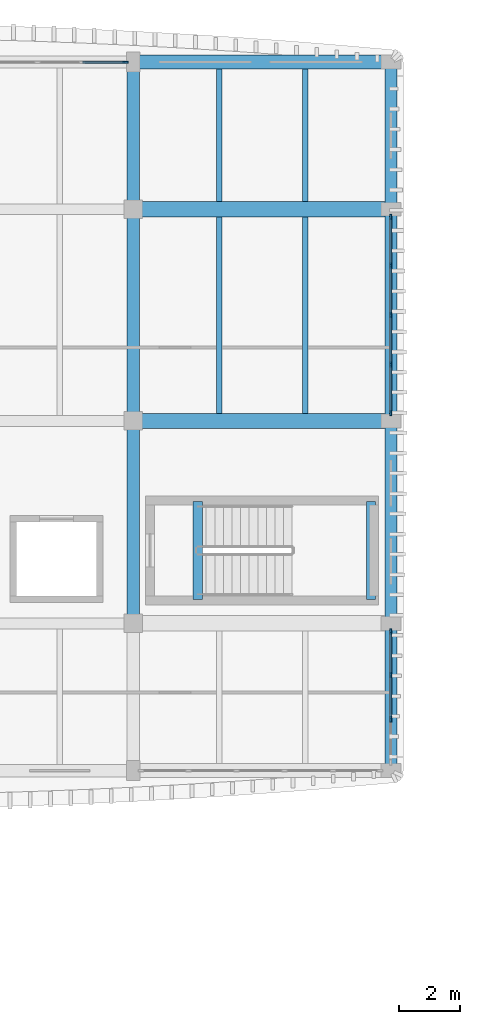
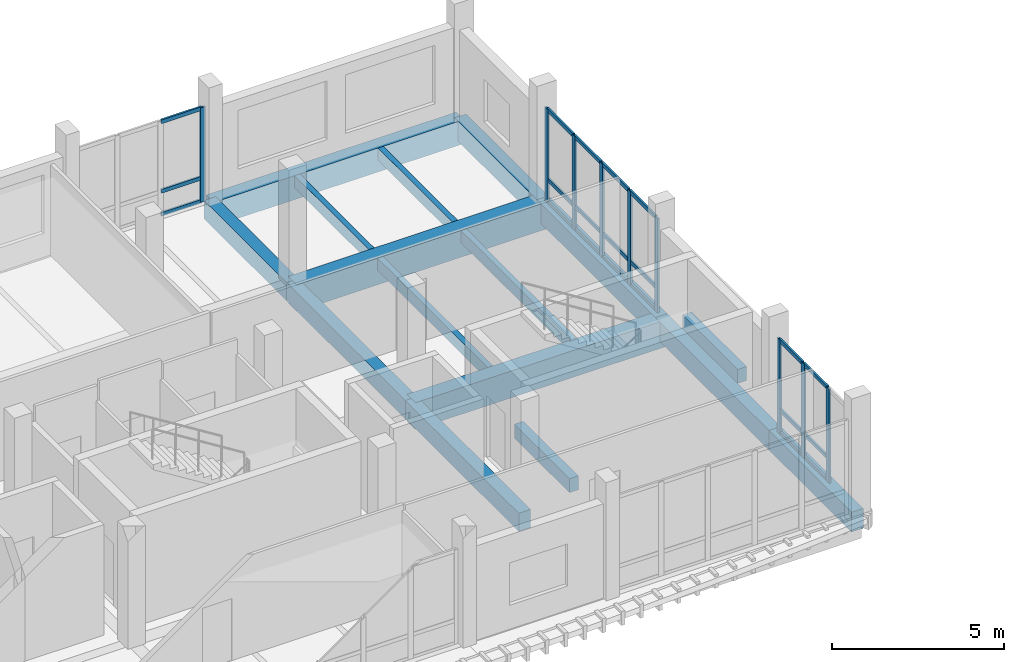
# One storey, part 5 of 20: 30 members, 16 beams, 3 elements without a shape of their own.
"""IFC4 building model written with IfcOpenShell, lengths in metres."""

from ifc_helpers import new_model, si_unit, direction, frame, origin, origin_2d, place, context, subcontext, project, spatial, rectangle, extrude, material, material_profile, profile_set, type_object, element, aggregate, save


model = new_model("IFC4")

# Units and contexts
model_context = context("Model", 3, precision=1e-05, world=origin(), true_north=direction((0.0, 1.0)))
body_context = subcontext(model_context, "Body", "Model", "MODEL_VIEW")
ifc_project = project(units=[si_unit("LENGTHUNIT", "METRE"), si_unit("AREAUNIT", "SQUARE_METRE"), si_unit("VOLUMEUNIT", "CUBIC_METRE"), si_unit("PLANEANGLEUNIT", "RADIAN"), si_unit("MASSUNIT", "GRAM", prefix="KILO")], contexts=[model_context])

# Site, building, storey
site_placement = place(None, origin())
site = spatial("IfcSite", under=ifc_project, at=site_placement, CompositionType="ELEMENT")
building_placement = place(site_placement, origin())
building = spatial("IfcBuilding", under=site, at=building_placement, Name="Dornvale Research Institute", CompositionType="ELEMENT")
storey_placement = place(building_placement, frame((0.0, 0.0, 34.199951171875)))
storey = spatial("IfcBuildingStorey", under=building, at=storey_placement, Name="L07", CompositionType="ELEMENT", Elevation=34.199951171875)

# Beams
ifc_material_1 = material(Name="Concrete f'c 45 MPa (C35/45)", Category="concrete")
ifc_material_profile_1 = material_profile(ifc_material_1, rectangle(XDim=0.300048828125, YDim=0.5, at=origin_2d()), Name="RC 300x500")
ifc_profile_set_1 = profile_set([ifc_material_profile_1], Name="Concrete f'c 45 MPa (C35/45)")
beam_type_1 = type_object("IfcBeamType", Name="Beam_RC300x500_Trim", PredefinedType="BEAM", material=ifc_profile_set_1)
for number, where, z_axis, x_axis, name in (
    (1, (35.10009765625, 104.580078125, -0.25), (0.0, 1.0, 0.0), (-1.0, 0.0, 0.0), "L07 ST-2 stair landing trimmer beam #31"),
    (2, (40.75, 104.580078125, 1.650146484375), (0.0, 1.0, 0.0), (-1.0, 0.0, 0.0), "L07 ST-2 half-landing support beam #44"),
):
    element("IfcBeam", number, at=place(storey_placement, frame(where, z_axis=z_axis, x_axis=x_axis)), inside=storey, type_object=beam_type_1, Name=name, PredefinedType="BEAM", context=body_context, shape_type="SweptSolid", body=[
        extrude(rectangle(XDim=0.300048828125, YDim=0.5, at=origin_2d()), origin(), (0.0, 0.0, 1.0), 3.199951171875),
    ])
ifc_material_2 = material(Name="Concrete f'c 45 MPa (C35/45)", Category="concrete")
ifc_material_profile_2 = material_profile(ifc_material_2, rectangle(XDim=0.39990234375, YDim=0.64990234375, at=origin_2d()), Name="RC 400x650")
ifc_profile_set_2 = profile_set([ifc_material_profile_2], Name="Concrete f'c 45 MPa (C35/45)")
beam_type_2 = type_object("IfcBeamType", Name="Beam_RC400x650_Floor", PredefinedType="BEAM", material=ifc_profile_set_2)
beam_1_placement = place(storey_placement, frame((33.0, 103.800048828125, -0.324951171875), z_axis=(0.0, 1.0, 0.0), x_axis=(-1.0, 0.0, 0.0)))
element("IfcBeam", 3, at=beam_1_placement, inside=storey, type_object=beam_type_2, Name="L07 transverse girder #1596", PredefinedType="BEAM", context=body_context, shape_type="SweptSolid", body=[
    extrude(rectangle(XDim=0.39990234375, YDim=0.64990234375, at=origin_2d()), origin(), (0.0, 0.0, 1.0), 6.599853515625),
])
beam_2_placement = place(storey_placement, frame((33.0, 110.39990234375, -0.324951171875), z_axis=(0.0, 1.0, 0.0), x_axis=(-1.0, 0.0, 0.0)))
element("IfcBeam", 4, at=beam_2_placement, inside=storey, type_object=beam_type_2, Name="L07 transverse girder #1597", PredefinedType="BEAM", context=body_context, shape_type="SweptSolid", body=[
    extrude(rectangle(XDim=0.39990234375, YDim=0.64990234375, at=origin_2d()), origin(), (0.0, 0.0, 1.0), 6.900146484375),
])
beam_3_placement = place(storey_placement, frame((33.0, 117.300048828125, -0.324951171875), z_axis=(0.0, 1.0, 0.0), x_axis=(-1.0, 0.0, 0.0)))
element("IfcBeam", 5, at=beam_3_placement, inside=storey, type_object=beam_type_2, Name="L07 transverse girder #1598", PredefinedType="BEAM", context=body_context, shape_type="SweptSolid", body=[
    extrude(rectangle(XDim=0.39990234375, YDim=0.64990234375, at=origin_2d()), origin(), (0.0, 0.0, 1.0), 4.800048828125),
])
ifc_material_3 = material(Name="Concrete f'c 45 MPa (C35/45)", Category="concrete")
ifc_material_profile_3 = material_profile(ifc_material_3, rectangle(XDim=0.5, YDim=0.949951171875, at=origin_2d()), Name="RC 500x950")
ifc_profile_set_3 = profile_set([ifc_material_profile_3], Name="Concrete f'c 45 MPa (C35/45)")
beam_type_3 = type_object("IfcBeamType", Name="Beam_RC500x950_Girder", PredefinedType="BEAM", material=ifc_profile_set_3)
for number, where, z_axis, x_axis, name in (
    (6, (33.0, 110.39990234375, -0.474853515625), (1.0, 0.0, 0.0), (0.0, 1.0, 0.0), "L07 primary girder #1568"),
    (7, (33.0, 117.300048828125, -0.474853515625), (1.0, 0.0, 0.0), (0.0, 1.0, 0.0), "L07 primary girder #1573"),
):
    element("IfcBeam", number, at=place(storey_placement, frame(where, z_axis=z_axis, x_axis=x_axis)), inside=storey, type_object=beam_type_3, Name=name, PredefinedType="BEAM", context=body_context, shape_type="SweptSolid", body=[
        extrude(rectangle(XDim=0.5, YDim=0.949951171875, at=origin_2d()), origin(), (0.0, 0.0, 1.0), 8.39990234375),
    ])
ifc_material_4 = material(Name="Concrete f'c 45 MPa (C35/45)", Category="concrete")
ifc_material_profile_4 = material_profile(ifc_material_4, rectangle(XDim=0.179931640625, YDim=0.43505859375, at=origin_2d()), Name="RC 180x435")
ifc_profile_set_4 = profile_set([ifc_material_profile_4], Name="Concrete f'c 45 MPa (C35/45)")
beam_type_4 = type_object("IfcBeamType", Name="Joist_RC180x435_Rib", PredefinedType="JOIST", material=ifc_profile_set_4)
for number, where, z_axis, x_axis, name in (
    (8, (35.800048828125, 110.64990234375, -0.217529296875), (0.0, 1.0, 0.0), (-1.0, 0.0, 0.0), "L07 laboratory waffle joist #788"),
    (9, (38.60009765625, 110.64990234375, -0.217529296875), (0.0, 1.0, 0.0), (-1.0, 0.0, 0.0), "L07 laboratory waffle joist #789"),
):
    element("IfcBeam", number, at=place(storey_placement, frame(where, z_axis=z_axis, x_axis=x_axis)), inside=storey, type_object=beam_type_4, Name=name, PredefinedType="JOIST", context=body_context, shape_type="SweptSolid", body=[
        extrude(rectangle(XDim=0.179931640625, YDim=0.43505859375, at=origin_2d()), origin(), (0.0, 0.0, 1.0), 6.400146484375),
    ])
for number, where, z_axis, x_axis, name in (
    (10, (35.800048828125, 117.550048828125, -0.217529296875), (0.0, 1.0, 0.0), (-1.0, 0.0, 0.0), "L07 laboratory waffle joist #790"),
    (11, (38.60009765625, 117.550048828125, -0.217529296875), (0.0, 1.0, 0.0), (-1.0, 0.0, 0.0), "L07 laboratory waffle joist #791"),
):
    element("IfcBeam", number, at=place(storey_placement, frame(where, z_axis=z_axis, x_axis=x_axis)), inside=storey, type_object=beam_type_4, Name=name, PredefinedType="JOIST", context=body_context, shape_type="SweptSolid", body=[
        extrude(rectangle(XDim=0.179931640625, YDim=0.43505859375, at=origin_2d()), origin(), (0.0, 0.0, 1.0), 4.324951171875),
    ])

# Curtain wall, member
ifc_material_5 = material(Name="Low-E Argon Double Insulating Glazing Unit", Category="glass")
curtain_wall_type_1 = type_object("IfcCurtainWallType", Name="UnitisedCurtainWall_V5_4350x3350", PredefinedType="USERDEFINED", material=ifc_material_5)
curtain_wall_1_placement = place(storey_placement, origin())
curtain_wall_1 = element("IfcCurtainWall", 12, at=curtain_wall_1_placement, inside=storey, type_object=curtain_wall_type_1, Name="L07 V5 unitised curtain wall CW-35 #182", ObjectType="UNITISED CURTAIN WALL", PredefinedType="USERDEFINED")
ifc_material_6 = material(Name="Anodized Aluminum AA 6063-T6 Thermally Broken Frame", Category="aluminium")
ifc_material_profile_5 = material_profile(ifc_material_6, rectangle(XDim=0.06494140625, YDim=0.179931640625, at=origin_2d()), Name="ALU MULLION 65x180")
ifc_profile_set_5 = profile_set([ifc_material_profile_5], Name="Anodized Aluminum AA 6063-T6 Thermally Broken Frame")
member_type_1 = type_object("IfcMemberType", Name="Mullion_CW_65x180", PredefinedType="MULLION", material=ifc_profile_set_5)
member_1_placement = place(storey_placement, frame((32.742431640625, 122.10009765625, 0.0), z_axis=(0.0, 0.0, 1.0), x_axis=(0.0, 1.0, 0.0)))
member_1 = element("IfcMember", 13, at=member_1_placement, type_object=member_type_1, Name="CW-35 mullion 4", PredefinedType="MULLION", context=body_context, shape_type="SweptSolid", body=[
    extrude(rectangle(XDim=0.06494140625, YDim=0.179931640625, at=origin_2d()), origin(), (0.0, 0.0, 1.0), 3.35009765625),
])

# Curtain wall, members
ifc_material_7 = material(Name="Low-E Argon Double Insulating Glazing Unit", Category="glass")
curtain_wall_type_2 = type_object("IfcCurtainWallType", Name="UnitisedCurtainWall_V5_6450x3350", PredefinedType="USERDEFINED", material=ifc_material_7)
curtain_wall_2_placement = place(storey_placement, origin())
curtain_wall_2 = element("IfcCurtainWall", 14, at=curtain_wall_2_placement, inside=storey, type_object=curtain_wall_type_2, Name="L07 V5 unitised curtain wall CW-36 #183", ObjectType="UNITISED CURTAIN WALL", PredefinedType="USERDEFINED")
member_2_placement = place(storey_placement, frame((41.39990234375, 117.04248046875, 0.0), z_axis=(0.0, 0.0, 1.0), x_axis=(1.0, 0.0, 0.0)))
member_2 = element("IfcMember", 15, at=member_2_placement, type_object=member_type_1, Name="CW-36 mullion 1", PredefinedType="MULLION", context=body_context, shape_type="SweptSolid", body=[
    extrude(rectangle(XDim=0.06494140625, YDim=0.179931640625, at=origin_2d()), origin(), (0.0, 0.0, 1.0), 3.35009765625),
])
member_3_placement = place(storey_placement, frame((41.39990234375, 115.46240234375, 0.0), z_axis=(0.0, 0.0, 1.0), x_axis=(1.0, 0.0, 0.0)))
member_3 = element("IfcMember", 16, at=member_3_placement, type_object=member_type_1, Name="CW-36 mullion 2", PredefinedType="MULLION", context=body_context, shape_type="SweptSolid", body=[
    extrude(rectangle(XDim=0.06494140625, YDim=0.179931640625, at=origin_2d()), origin(), (0.0, 0.0, 1.0), 3.35009765625),
])
member_4_placement = place(storey_placement, frame((41.39990234375, 113.85009765625, 0.0), z_axis=(0.0, 0.0, 1.0), x_axis=(1.0, 0.0, 0.0)))
member_4 = element("IfcMember", 17, at=member_4_placement, type_object=member_type_1, Name="CW-36 mullion 3", PredefinedType="MULLION", context=body_context, shape_type="SweptSolid", body=[
    extrude(rectangle(XDim=0.06494140625, YDim=0.179931640625, at=origin_2d()), origin(), (0.0, 0.0, 1.0), 3.35009765625),
])
member_5_placement = place(storey_placement, frame((41.39990234375, 112.237548828125, 0.0), z_axis=(0.0, 0.0, 1.0), x_axis=(1.0, 0.0, 0.0)))
member_5 = element("IfcMember", 18, at=member_5_placement, type_object=member_type_1, Name="CW-36 mullion 4", PredefinedType="MULLION", context=body_context, shape_type="SweptSolid", body=[
    extrude(rectangle(XDim=0.06494140625, YDim=0.179931640625, at=origin_2d()), origin(), (0.0, 0.0, 1.0), 3.35009765625),
])
member_6_placement = place(storey_placement, frame((41.39990234375, 110.657470703125, 0.0), z_axis=(0.0, 0.0, 1.0), x_axis=(1.0, 0.0, 0.0)))
member_6 = element("IfcMember", 19, at=member_6_placement, type_object=member_type_1, Name="CW-36 mullion 5", PredefinedType="MULLION", context=body_context, shape_type="SweptSolid", body=[
    extrude(rectangle(XDim=0.06494140625, YDim=0.179931640625, at=origin_2d()), origin(), (0.0, 0.0, 1.0), 3.35009765625),
])

curtain_wall_3_placement = place(storey_placement, origin())
curtain_wall_3 = element("IfcCurtainWall", 20, at=curtain_wall_3_placement, inside=storey, type_object=curtain_wall_type_1, Name="L07 V5 unitised curtain wall CW-35 #184", ObjectType="UNITISED CURTAIN WALL", PredefinedType="USERDEFINED")
member_7_placement = place(storey_placement, frame((41.39990234375, 103.54248046875, 0.0), z_axis=(0.0, 0.0, 1.0), x_axis=(1.0, 0.0, 0.0)))
member_7 = element("IfcMember", 21, at=member_7_placement, type_object=member_type_1, Name="CW-35 mullion 1", PredefinedType="MULLION", context=body_context, shape_type="SweptSolid", body=[
    extrude(rectangle(XDim=0.06494140625, YDim=0.179931640625, at=origin_2d()), origin(), (0.0, 0.0, 1.0), 3.35009765625),
])
member_8_placement = place(storey_placement, frame((41.39990234375, 102.125, 0.0), z_axis=(0.0, 0.0, 1.0), x_axis=(1.0, 0.0, 0.0)))
member_8 = element("IfcMember", 22, at=member_8_placement, type_object=member_type_1, Name="CW-35 mullion 2", PredefinedType="MULLION", context=body_context, shape_type="SweptSolid", body=[
    extrude(rectangle(XDim=0.06494140625, YDim=0.179931640625, at=origin_2d()), origin(), (0.0, 0.0, 1.0), 3.35009765625),
])
member_9_placement = place(storey_placement, frame((41.39990234375, 100.675048828125, 0.0), z_axis=(0.0, 0.0, 1.0), x_axis=(1.0, 0.0, 0.0)))
member_9 = element("IfcMember", 23, at=member_9_placement, type_object=member_type_1, Name="CW-35 mullion 3", PredefinedType="MULLION", context=body_context, shape_type="SweptSolid", body=[
    extrude(rectangle(XDim=0.06494140625, YDim=0.179931640625, at=origin_2d()), origin(), (0.0, 0.0, 1.0), 3.35009765625),
])

# Beams
ifc_material_8 = material(Name="Concrete f'c 45 MPa (C35/45)", Category="concrete")
ifc_material_profile_6 = material_profile(ifc_material_8, rectangle(XDim=0.39990234375, YDim=0.699951171875, at=origin_2d()), Name="RC 400x700")
ifc_profile_set_6 = profile_set([ifc_material_profile_6], Name="Concrete f'c 45 MPa (C35/45)")
beam_type_5 = type_object("IfcBeamType", Name="Spandrel_RC400x700_Ext", PredefinedType="SPANDREL", material=ifc_profile_set_6)
beam_4_placement = place(storey_placement, frame((41.39990234375, 99.0, -0.349853515625), z_axis=(0.0, 1.0, 0.0), x_axis=(-1.0, 0.0, 0.0)))
element("IfcBeam", 24, at=beam_4_placement, inside=storey, type_object=beam_type_5, Name="L07 perimeter spandrel #1599", PredefinedType="SPANDREL", context=body_context, shape_type="SweptSolid", body=[
    extrude(rectangle(XDim=0.39990234375, YDim=0.699951171875, at=origin_2d()), origin(), (0.0, 0.0, 1.0), 4.800048828125),
])
beam_5_placement = place(storey_placement, frame((41.39990234375, 103.800048828125, -0.349853515625), z_axis=(0.0, 1.0, 0.0), x_axis=(-1.0, 0.0, 0.0)))
element("IfcBeam", 25, at=beam_5_placement, inside=storey, type_object=beam_type_5, Name="L07 perimeter spandrel #1600", PredefinedType="SPANDREL", context=body_context, shape_type="SweptSolid", body=[
    extrude(rectangle(XDim=0.39990234375, YDim=0.699951171875, at=origin_2d()), origin(), (0.0, 0.0, 1.0), 6.599853515625),
])
beam_6_placement = place(storey_placement, frame((41.39990234375, 110.39990234375, -0.349853515625), z_axis=(0.0, 1.0, 0.0), x_axis=(-1.0, 0.0, 0.0)))
element("IfcBeam", 26, at=beam_6_placement, inside=storey, type_object=beam_type_5, Name="L07 perimeter spandrel #1601", PredefinedType="SPANDREL", context=body_context, shape_type="SweptSolid", body=[
    extrude(rectangle(XDim=0.39990234375, YDim=0.699951171875, at=origin_2d()), origin(), (0.0, 0.0, 1.0), 6.900146484375),
])
beam_7_placement = place(storey_placement, frame((41.39990234375, 117.300048828125, -0.349853515625), z_axis=(0.0, 1.0, 0.0), x_axis=(-1.0, 0.0, 0.0)))
element("IfcBeam", 27, at=beam_7_placement, inside=storey, type_object=beam_type_5, Name="L07 perimeter spandrel #1602", PredefinedType="SPANDREL", context=body_context, shape_type="SweptSolid", body=[
    extrude(rectangle(XDim=0.39990234375, YDim=0.699951171875, at=origin_2d()), origin(), (0.0, 0.0, 1.0), 4.800048828125),
])
ifc_material_9 = material(Name="Concrete f'c 45 MPa (C35/45)", Category="concrete")
ifc_material_profile_7 = material_profile(ifc_material_9, rectangle(XDim=0.449951171875, YDim=0.85009765625, at=origin_2d()), Name="RC 450x850")
ifc_profile_set_7 = profile_set([ifc_material_profile_7], Name="Concrete f'c 45 MPa (C35/45)")
beam_type_6 = type_object("IfcBeamType", Name="Spandrel_RC450x850_Ext", PredefinedType="SPANDREL", material=ifc_profile_set_7)
beam_8_placement = place(storey_placement, frame((33.0, 122.10009765625, -0.425048828125), z_axis=(1.0, 0.0, 0.0), x_axis=(0.0, 1.0, 0.0)))
element("IfcBeam", 28, at=beam_8_placement, inside=storey, type_object=beam_type_6, Name="L07 perimeter spandrel #1578", PredefinedType="SPANDREL", context=body_context, shape_type="SweptSolid", body=[
    extrude(rectangle(XDim=0.449951171875, YDim=0.85009765625, at=origin_2d()), origin(), (0.0, 0.0, 1.0), 8.39990234375),
])

# Member
ifc_material_10 = material(Name="Anodized Aluminum AA 6063-T6 Thermally Broken Frame", Category="aluminium")
ifc_material_profile_8 = material_profile(ifc_material_10, rectangle(XDim=0.06494140625, YDim=0.135009765625, at=origin_2d()), Name="ALU TRANSOM 65x135")
ifc_profile_set_8 = profile_set([ifc_material_profile_8], Name="Anodized Aluminum AA 6063-T6 Thermally Broken Frame")
member_type_2 = type_object("IfcMemberType", Name="Transom_CW_65x135", PredefinedType="USERDEFINED", material=ifc_profile_set_8)
member_10_placement = place(storey_placement, frame((31.357421875, 122.10009765625, 0.032470703125), z_axis=(1.0, 0.0, 0.0), x_axis=(0.0, 1.0, 0.0)))
member_10 = element("IfcMember", 29, at=member_10_placement, type_object=member_type_2, Name="CW-35 transom 3.1", ObjectType="TRANSOM", PredefinedType="USERDEFINED", context=body_context, shape_type="SweptSolid", body=[
    extrude(rectangle(XDim=0.06494140625, YDim=0.135009765625, at=origin_2d()), origin(), (0.0, 0.0, 1.0), 1.3525390625),
])

member_11_placement = place(storey_placement, frame((31.357421875, 122.10009765625, 0.85009765625), z_axis=(1.0, 0.0, 0.0), x_axis=(0.0, 1.0, 0.0)))
member_11 = element("IfcMember", 30, at=member_11_placement, type_object=member_type_2, Name="CW-35 transom 3.2", ObjectType="TRANSOM", PredefinedType="USERDEFINED", context=body_context, shape_type="SweptSolid", body=[
    extrude(rectangle(XDim=0.06494140625, YDim=0.135009765625, at=origin_2d()), origin(), (0.0, 0.0, 1.0), 1.3525390625),
])

member_12_placement = place(storey_placement, frame((31.357421875, 122.10009765625, 3.317626953125), z_axis=(1.0, 0.0, 0.0), x_axis=(0.0, 1.0, 0.0)))
member_12 = element("IfcMember", 31, at=member_12_placement, type_object=member_type_2, Name="CW-35 transom 3.3", ObjectType="TRANSOM", PredefinedType="USERDEFINED", context=body_context, shape_type="SweptSolid", body=[
    extrude(rectangle(XDim=0.06494140625, YDim=0.135009765625, at=origin_2d()), origin(), (0.0, 0.0, 1.0), 1.3525390625),
])

aggregate(curtain_wall_1, [member_1, member_10, member_11, member_12])

member_13_placement = place(storey_placement, frame((41.39990234375, 117.010009765625, 0.032470703125), z_axis=(0.0, -1.0, 0.0), x_axis=(1.0, 0.0, 0.0)))
member_13 = element("IfcMember", 32, at=member_13_placement, type_object=member_type_2, Name="CW-36 transom 1.1", ObjectType="TRANSOM", PredefinedType="USERDEFINED", context=body_context, shape_type="SweptSolid", body=[
    extrude(rectangle(XDim=0.06494140625, YDim=0.135009765625, at=origin_2d()), origin(), (0.0, 0.0, 1.0), 1.514892578125),
])

member_14_placement = place(storey_placement, frame((41.39990234375, 117.010009765625, 0.85009765625), z_axis=(0.0, -1.0, 0.0), x_axis=(1.0, 0.0, 0.0)))
member_14 = element("IfcMember", 33, at=member_14_placement, type_object=member_type_2, Name="CW-36 transom 1.2", ObjectType="TRANSOM", PredefinedType="USERDEFINED", context=body_context, shape_type="SweptSolid", body=[
    extrude(rectangle(XDim=0.06494140625, YDim=0.135009765625, at=origin_2d()), origin(), (0.0, 0.0, 1.0), 1.514892578125),
])

member_15_placement = place(storey_placement, frame((41.39990234375, 117.010009765625, 3.317626953125), z_axis=(0.0, -1.0, 0.0), x_axis=(1.0, 0.0, 0.0)))
member_15 = element("IfcMember", 34, at=member_15_placement, type_object=member_type_2, Name="CW-36 transom 1.3", ObjectType="TRANSOM", PredefinedType="USERDEFINED", context=body_context, shape_type="SweptSolid", body=[
    extrude(rectangle(XDim=0.06494140625, YDim=0.135009765625, at=origin_2d()), origin(), (0.0, 0.0, 1.0), 1.514892578125),
])

member_16_placement = place(storey_placement, frame((41.39990234375, 115.429931640625, 0.032470703125), z_axis=(0.0, -1.0, 0.0), x_axis=(1.0, 0.0, 0.0)))
member_16 = element("IfcMember", 35, at=member_16_placement, type_object=member_type_2, Name="CW-36 transom 2.1", ObjectType="TRANSOM", PredefinedType="USERDEFINED", context=body_context, shape_type="SweptSolid", body=[
    extrude(rectangle(XDim=0.06494140625, YDim=0.135009765625, at=origin_2d()), origin(), (0.0, 0.0, 1.0), 1.54736328125),
])

member_17_placement = place(storey_placement, frame((41.39990234375, 115.429931640625, 0.85009765625), z_axis=(0.0, -1.0, 0.0), x_axis=(1.0, 0.0, 0.0)))
member_17 = element("IfcMember", 36, at=member_17_placement, type_object=member_type_2, Name="CW-36 transom 2.2", ObjectType="TRANSOM", PredefinedType="USERDEFINED", context=body_context, shape_type="SweptSolid", body=[
    extrude(rectangle(XDim=0.06494140625, YDim=0.135009765625, at=origin_2d()), origin(), (0.0, 0.0, 1.0), 1.54736328125),
])

member_18_placement = place(storey_placement, frame((41.39990234375, 115.429931640625, 3.317626953125), z_axis=(0.0, -1.0, 0.0), x_axis=(1.0, 0.0, 0.0)))
member_18 = element("IfcMember", 37, at=member_18_placement, type_object=member_type_2, Name="CW-36 transom 2.3", ObjectType="TRANSOM", PredefinedType="USERDEFINED", context=body_context, shape_type="SweptSolid", body=[
    extrude(rectangle(XDim=0.06494140625, YDim=0.135009765625, at=origin_2d()), origin(), (0.0, 0.0, 1.0), 1.54736328125),
])

member_19_placement = place(storey_placement, frame((41.39990234375, 113.8173828125, 0.032470703125), z_axis=(0.0, -1.0, 0.0), x_axis=(1.0, 0.0, 0.0)))
member_19 = element("IfcMember", 38, at=member_19_placement, type_object=member_type_2, Name="CW-36 transom 3.1", ObjectType="TRANSOM", PredefinedType="USERDEFINED", context=body_context, shape_type="SweptSolid", body=[
    extrude(rectangle(XDim=0.06494140625, YDim=0.135009765625, at=origin_2d()), origin(), (0.0, 0.0, 1.0), 1.54736328125),
])

member_20_placement = place(storey_placement, frame((41.39990234375, 113.8173828125, 0.85009765625), z_axis=(0.0, -1.0, 0.0), x_axis=(1.0, 0.0, 0.0)))
member_20 = element("IfcMember", 39, at=member_20_placement, type_object=member_type_2, Name="CW-36 transom 3.2", ObjectType="TRANSOM", PredefinedType="USERDEFINED", context=body_context, shape_type="SweptSolid", body=[
    extrude(rectangle(XDim=0.06494140625, YDim=0.135009765625, at=origin_2d()), origin(), (0.0, 0.0, 1.0), 1.54736328125),
])

member_21_placement = place(storey_placement, frame((41.39990234375, 113.8173828125, 3.317626953125), z_axis=(0.0, -1.0, 0.0), x_axis=(1.0, 0.0, 0.0)))
member_21 = element("IfcMember", 40, at=member_21_placement, type_object=member_type_2, Name="CW-36 transom 3.3", ObjectType="TRANSOM", PredefinedType="USERDEFINED", context=body_context, shape_type="SweptSolid", body=[
    extrude(rectangle(XDim=0.06494140625, YDim=0.135009765625, at=origin_2d()), origin(), (0.0, 0.0, 1.0), 1.54736328125),
])

member_22_placement = place(storey_placement, frame((41.39990234375, 112.205078125, 0.032470703125), z_axis=(0.0, -1.0, 0.0), x_axis=(1.0, 0.0, 0.0)))
member_22 = element("IfcMember", 41, at=member_22_placement, type_object=member_type_2, Name="CW-36 transom 4.1", ObjectType="TRANSOM", PredefinedType="USERDEFINED", context=body_context, shape_type="SweptSolid", body=[
    extrude(rectangle(XDim=0.06494140625, YDim=0.135009765625, at=origin_2d()), origin(), (0.0, 0.0, 1.0), 1.51513671875),
])

member_23_placement = place(storey_placement, frame((41.39990234375, 112.205078125, 0.85009765625), z_axis=(0.0, -1.0, 0.0), x_axis=(1.0, 0.0, 0.0)))
member_23 = element("IfcMember", 42, at=member_23_placement, type_object=member_type_2, Name="CW-36 transom 4.2", ObjectType="TRANSOM", PredefinedType="USERDEFINED", context=body_context, shape_type="SweptSolid", body=[
    extrude(rectangle(XDim=0.06494140625, YDim=0.135009765625, at=origin_2d()), origin(), (0.0, 0.0, 1.0), 1.51513671875),
])

member_24_placement = place(storey_placement, frame((41.39990234375, 112.205078125, 3.317626953125), z_axis=(0.0, -1.0, 0.0), x_axis=(1.0, 0.0, 0.0)))
member_24 = element("IfcMember", 43, at=member_24_placement, type_object=member_type_2, Name="CW-36 transom 4.3", ObjectType="TRANSOM", PredefinedType="USERDEFINED", context=body_context, shape_type="SweptSolid", body=[
    extrude(rectangle(XDim=0.06494140625, YDim=0.135009765625, at=origin_2d()), origin(), (0.0, 0.0, 1.0), 1.51513671875),
])

aggregate(curtain_wall_2, [member_2, member_3, member_4, member_5, member_6, member_13, member_14, member_15, member_16, member_17, member_18, member_19, member_20, member_21, member_22, member_23, member_24])

member_25_placement = place(storey_placement, frame((41.39990234375, 103.510009765625, 0.032470703125), z_axis=(0.0, -1.0, 0.0), x_axis=(1.0, 0.0, 0.0)))
member_25 = element("IfcMember", 44, at=member_25_placement, type_object=member_type_2, Name="CW-35 transom 1.1", ObjectType="TRANSOM", PredefinedType="USERDEFINED", context=body_context, shape_type="SweptSolid", body=[
    extrude(rectangle(XDim=0.06494140625, YDim=0.135009765625, at=origin_2d()), origin(), (0.0, 0.0, 1.0), 1.3525390625),
])

member_26_placement = place(storey_placement, frame((41.39990234375, 103.510009765625, 0.85009765625), z_axis=(0.0, -1.0, 0.0), x_axis=(1.0, 0.0, 0.0)))
member_26 = element("IfcMember", 45, at=member_26_placement, type_object=member_type_2, Name="CW-35 transom 1.2", ObjectType="TRANSOM", PredefinedType="USERDEFINED", context=body_context, shape_type="SweptSolid", body=[
    extrude(rectangle(XDim=0.06494140625, YDim=0.135009765625, at=origin_2d()), origin(), (0.0, 0.0, 1.0), 1.3525390625),
])

member_27_placement = place(storey_placement, frame((41.39990234375, 103.510009765625, 3.317626953125), z_axis=(0.0, -1.0, 0.0), x_axis=(1.0, 0.0, 0.0)))
member_27 = element("IfcMember", 46, at=member_27_placement, type_object=member_type_2, Name="CW-35 transom 1.3", ObjectType="TRANSOM", PredefinedType="USERDEFINED", context=body_context, shape_type="SweptSolid", body=[
    extrude(rectangle(XDim=0.06494140625, YDim=0.135009765625, at=origin_2d()), origin(), (0.0, 0.0, 1.0), 1.3525390625),
])

member_28_placement = place(storey_placement, frame((41.39990234375, 102.092529296875, 0.032470703125), z_axis=(0.0, -1.0, 0.0), x_axis=(1.0, 0.0, 0.0)))
member_28 = element("IfcMember", 47, at=member_28_placement, type_object=member_type_2, Name="CW-35 transom 2.1", ObjectType="TRANSOM", PredefinedType="USERDEFINED", context=body_context, shape_type="SweptSolid", body=[
    extrude(rectangle(XDim=0.06494140625, YDim=0.135009765625, at=origin_2d()), origin(), (0.0, 0.0, 1.0), 1.385009765625),
])

member_29_placement = place(storey_placement, frame((41.39990234375, 102.092529296875, 0.85009765625), z_axis=(0.0, -1.0, 0.0), x_axis=(1.0, 0.0, 0.0)))
member_29 = element("IfcMember", 48, at=member_29_placement, type_object=member_type_2, Name="CW-35 transom 2.2", ObjectType="TRANSOM", PredefinedType="USERDEFINED", context=body_context, shape_type="SweptSolid", body=[
    extrude(rectangle(XDim=0.06494140625, YDim=0.135009765625, at=origin_2d()), origin(), (0.0, 0.0, 1.0), 1.385009765625),
])

member_30_placement = place(storey_placement, frame((41.39990234375, 102.092529296875, 3.317626953125), z_axis=(0.0, -1.0, 0.0), x_axis=(1.0, 0.0, 0.0)))
member_30 = element("IfcMember", 49, at=member_30_placement, type_object=member_type_2, Name="CW-35 transom 2.3", ObjectType="TRANSOM", PredefinedType="USERDEFINED", context=body_context, shape_type="SweptSolid", body=[
    extrude(rectangle(XDim=0.06494140625, YDim=0.135009765625, at=origin_2d()), origin(), (0.0, 0.0, 1.0), 1.385009765625),
])

aggregate(curtain_wall_3, [member_7, member_8, member_9, member_25, member_26, member_27, member_28, member_29, member_30])

save(model, "model.ifc")
